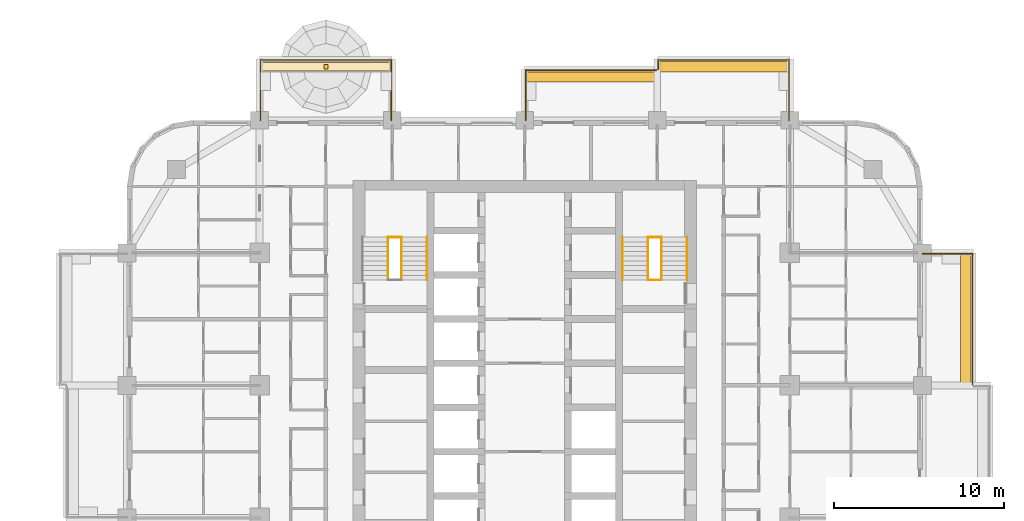
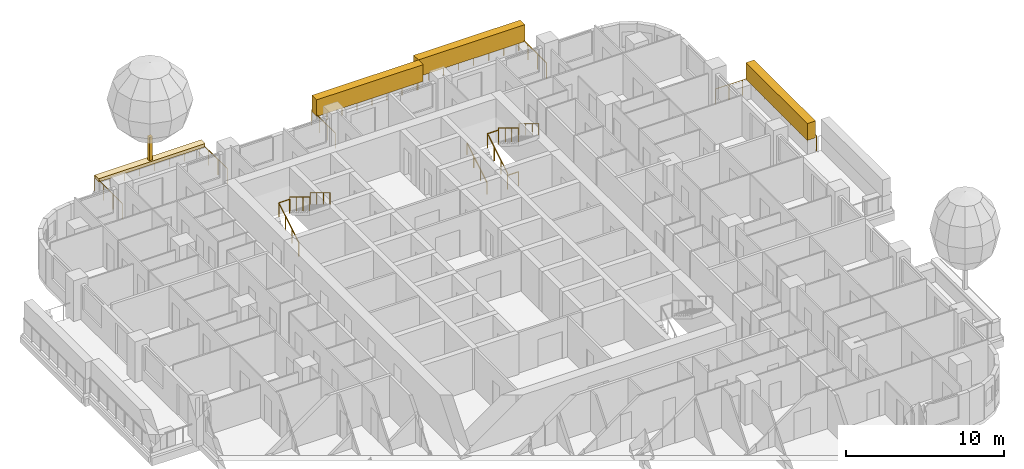
# One storey, part 18 of 19: 14 railings, 5 coverings, 2 elements without a shape of their own.
"""IFC4 building model written with IfcOpenShell, lengths in metres."""

from ifc_helpers import new_model, si_unit, direction, frame, origin, origin_2d, place, context, subcontext, project, spatial, rectangle, circle, extrude, material, layer, layer_set, type_object, element, aggregate, save


model = new_model("IFC4")

# Units and contexts
model_context = context("Model", 3, precision=1e-05, world=origin(), true_north=direction((0.0, 1.0)))
body_context = subcontext(model_context, "Body", "Model", "MODEL_VIEW")
ifc_project = project(units=[si_unit("LENGTHUNIT", "METRE"), si_unit("AREAUNIT", "SQUARE_METRE"), si_unit("VOLUMEUNIT", "CUBIC_METRE"), si_unit("PLANEANGLEUNIT", "RADIAN"), si_unit("MASSUNIT", "GRAM", prefix="KILO")], contexts=[model_context])

# Site, building, storey
site_placement = place(None, origin())
site = spatial("IfcSite", under=ifc_project, at=site_placement, CompositionType="ELEMENT")
building_placement = place(site_placement, origin())
building = spatial("IfcBuilding", under=site, at=building_placement, Name="Ludao Terraces", CompositionType="ELEMENT")
storey_placement = place(building_placement, frame((0.0, 0.0, 36.5)))
storey = spatial("IfcBuildingStorey", under=building, at=storey_placement, Name="L09", CompositionType="ELEMENT", Elevation=36.5)

# Railings
ifc_material_1 = material(Name="Stainless steel 304", Category="steel")
railing_type_1 = type_object("IfcRailingType", Name="ENV Balcony glass guard 1200", PredefinedType="GUARDRAIL", material=ifc_material_1)
railing_1_placement = place(storey_placement, frame((111.35009765625, 72.85009765625, 0.0)))
element("IfcRailing", 1, at=railing_1_placement, inside=storey, type_object=railing_type_1, Name="Balcony guard L09 E4", PredefinedType="GUARDRAIL", context=body_context, shape_type="SweptSolid", body=[
    extrude(circle(Radius=0.02392578125, at=origin_2d()), frame((0.0, 0.0, 1.17578125), z_axis=(0.0, 1.0, 0.0), x_axis=(-1.0, 0.0, 0.0)), (0.0, 0.0, 1.0), 7.699951171875),
    extrude(circle(Radius=0.02392578125, at=origin_2d()), frame((0.0, 7.699951171875, 1.17578125), z_axis=(-1.0, 0.0, 0.0), x_axis=(0.0, -1.0, 0.0)), (0.0, 0.0, 1.0), 2.9501953125),
    extrude(circle(Radius=0.02099609375, at=origin_2d()), origin(), (0.0, 0.0, 1.0), 1.15185546875),
    extrude(circle(Radius=0.02099609375, at=origin_2d()), frame((0.0, 1.10009765625, 0.0)), (0.0, 0.0, 1.0), 1.15185546875),
    extrude(circle(Radius=0.02099609375, at=origin_2d()), frame((0.0, 2.199951171875, 0.0)), (0.0, 0.0, 1.0), 1.15185546875),
    extrude(circle(Radius=0.02099609375, at=origin_2d()), frame((0.0, 3.300048828125, 0.0)), (0.0, 0.0, 1.0), 1.15185546875),
    extrude(circle(Radius=0.02099609375, at=origin_2d()), frame((0.0, 4.39990234375, 0.0)), (0.0, 0.0, 1.0), 1.15185546875),
    extrude(circle(Radius=0.02099609375, at=origin_2d()), frame((0.0, 5.5, 0.0)), (0.0, 0.0, 1.0), 1.15185546875),
    extrude(circle(Radius=0.02099609375, at=origin_2d()), frame((0.0, 6.599853515625, 0.0)), (0.0, 0.0, 1.0), 1.15185546875),
    extrude(circle(Radius=0.02099609375, at=origin_2d()), frame((0.0, 7.699951171875, 0.0)), (0.0, 0.0, 1.0), 1.15185546875),
    extrude(circle(Radius=0.02099609375, at=origin_2d()), frame((-0.9833984375, 7.699951171875, 0.0)), (0.0, 0.0, 1.0), 1.15185546875),
    extrude(circle(Radius=0.02099609375, at=origin_2d()), frame((-1.966796875, 7.699951171875, 0.0)), (0.0, 0.0, 1.0), 1.15185546875),
    extrude(circle(Radius=0.02099609375, at=origin_2d()), frame((-2.9501953125, 7.699951171875, 0.0)), (0.0, 0.0, 1.0), 1.15185546875),
])
railing_2_placement = place(storey_placement, frame((69.449951171875, 88.39990234375, 0.0)))
element("IfcRailing", 2, at=railing_2_placement, inside=storey, type_object=railing_type_1, Name="Balcony guard L09 N1", PredefinedType="GUARDRAIL", context=body_context, shape_type="SweptSolid", body=[
    extrude(circle(Radius=0.02392578125, at=origin_2d()), frame((0.0, 0.0, 1.17578125), z_axis=(0.0, 1.0, 0.0), x_axis=(-1.0, 0.0, 0.0)), (0.0, 0.0, 1.0), 3.550048828125),
    extrude(circle(Radius=0.02392578125, at=origin_2d()), frame((0.0, 3.550048828125, 1.17578125), z_axis=(1.0, 0.0, 0.0), x_axis=(0.0, 1.0, 0.0)), (0.0, 0.0, 1.0), 7.699951171875),
    extrude(circle(Radius=0.02392578125, at=origin_2d()), frame((7.699951171875, 3.550048828125, 1.17578125), z_axis=(0.0, -1.0, 0.0), x_axis=(1.0, 0.0, 0.0)), (0.0, 0.0, 1.0), 3.550048828125),
    extrude(circle(Radius=0.02099609375, at=origin_2d()), origin(), (0.0, 0.0, 1.0), 1.15185546875),
    extrude(circle(Radius=0.02099609375, at=origin_2d()), frame((0.0, 1.183349609375, 0.0)), (0.0, 0.0, 1.0), 1.15185546875),
    extrude(circle(Radius=0.02099609375, at=origin_2d()), frame((0.0, 2.36669921875, 0.0)), (0.0, 0.0, 1.0), 1.15185546875),
    extrude(circle(Radius=0.02099609375, at=origin_2d()), frame((0.0, 3.550048828125, 0.0)), (0.0, 0.0, 1.0), 1.15185546875),
    extrude(circle(Radius=0.02099609375, at=origin_2d()), frame((1.10009765625, 3.550048828125, 0.0)), (0.0, 0.0, 1.0), 1.15185546875),
    extrude(circle(Radius=0.02099609375, at=origin_2d()), frame((2.199951171875, 3.550048828125, 0.0)), (0.0, 0.0, 1.0), 1.15185546875),
    extrude(circle(Radius=0.02099609375, at=origin_2d()), frame((3.300048828125, 3.550048828125, 0.0)), (0.0, 0.0, 1.0), 1.15185546875),
    extrude(circle(Radius=0.02099609375, at=origin_2d()), frame((4.39990234375, 3.550048828125, 0.0)), (0.0, 0.0, 1.0), 1.15185546875),
    extrude(circle(Radius=0.02099609375, at=origin_2d()), frame((5.5, 3.550048828125, 0.0)), (0.0, 0.0, 1.0), 1.15185546875),
    extrude(circle(Radius=0.02099609375, at=origin_2d()), frame((6.599853515625, 3.550048828125, 0.0)), (0.0, 0.0, 1.0), 1.15185546875),
    extrude(circle(Radius=0.02099609375, at=origin_2d()), frame((7.699951171875, 3.550048828125, 0.0)), (0.0, 0.0, 1.0), 1.15185546875),
    extrude(circle(Radius=0.02099609375, at=origin_2d()), frame((7.699951171875, 2.36669921875, 0.0)), (0.0, 0.0, 1.0), 1.15185546875),
    extrude(circle(Radius=0.02099609375, at=origin_2d()), frame((7.699951171875, 1.183349609375, 0.0)), (0.0, 0.0, 1.0), 1.15185546875),
    extrude(circle(Radius=0.02099609375, at=origin_2d()), frame((7.699951171875, 0.0, 0.0)), (0.0, 0.0, 1.0), 1.15185546875),
])
railing_3_placement = place(storey_placement, frame((85.050048828125, 88.39990234375, 0.0)))
element("IfcRailing", 3, at=railing_3_placement, inside=storey, type_object=railing_type_1, Name="Balcony guard L09 N3", PredefinedType="GUARDRAIL", context=body_context, shape_type="SweptSolid", body=[
    extrude(circle(Radius=0.02392578125, at=origin_2d()), frame((0.0, 0.0, 1.17578125), z_axis=(0.0, 1.0, 0.0), x_axis=(-1.0, 0.0, 0.0)), (0.0, 0.0, 1.0), 2.9501953125),
    extrude(circle(Radius=0.02392578125, at=origin_2d()), frame((0.0, 2.9501953125, 1.17578125), z_axis=(1.0, 0.0, 0.0), x_axis=(0.0, 1.0, 0.0)), (0.0, 0.0, 1.0), 7.699951171875),
    extrude(circle(Radius=0.02099609375, at=origin_2d()), origin(), (0.0, 0.0, 1.0), 1.15185546875),
    extrude(circle(Radius=0.02099609375, at=origin_2d()), frame((0.0, 0.9833984375, 0.0)), (0.0, 0.0, 1.0), 1.15185546875),
    extrude(circle(Radius=0.02099609375, at=origin_2d()), frame((0.0, 1.966796875, 0.0)), (0.0, 0.0, 1.0), 1.15185546875),
    extrude(circle(Radius=0.02099609375, at=origin_2d()), frame((0.0, 2.9501953125, 0.0)), (0.0, 0.0, 1.0), 1.15185546875),
    extrude(circle(Radius=0.02099609375, at=origin_2d()), frame((1.10009765625, 2.9501953125, 0.0)), (0.0, 0.0, 1.0), 1.15185546875),
    extrude(circle(Radius=0.02099609375, at=origin_2d()), frame((2.199951171875, 2.9501953125, 0.0)), (0.0, 0.0, 1.0), 1.15185546875),
    extrude(circle(Radius=0.02099609375, at=origin_2d()), frame((3.300048828125, 2.9501953125, 0.0)), (0.0, 0.0, 1.0), 1.15185546875),
    extrude(circle(Radius=0.02099609375, at=origin_2d()), frame((4.39990234375, 2.9501953125, 0.0)), (0.0, 0.0, 1.0), 1.15185546875),
    extrude(circle(Radius=0.02099609375, at=origin_2d()), frame((5.5, 2.9501953125, 0.0)), (0.0, 0.0, 1.0), 1.15185546875),
    extrude(circle(Radius=0.02099609375, at=origin_2d()), frame((6.599853515625, 2.9501953125, 0.0)), (0.0, 0.0, 1.0), 1.15185546875),
    extrude(circle(Radius=0.02099609375, at=origin_2d()), frame((7.699951171875, 2.9501953125, 0.0)), (0.0, 0.0, 1.0), 1.15185546875),
])
railing_4_placement = place(storey_placement, frame((92.85009765625, 91.39990234375, 0.0)))
element("IfcRailing", 4, at=railing_4_placement, inside=storey, type_object=railing_type_1, Name="Balcony guard L09 N4", PredefinedType="GUARDRAIL", context=body_context, shape_type="SweptSolid", body=[
    extrude(circle(Radius=0.02392578125, at=origin_2d()), frame((0.0, 0.0, 1.17578125), z_axis=(0.0, 1.0, 0.0), x_axis=(-1.0, 0.0, 0.0)), (0.0, 0.0, 1.0), 0.550048828125),
    extrude(circle(Radius=0.02392578125, at=origin_2d()), frame((0.0, 0.550048828125, 1.17578125), z_axis=(1.0, 0.0, 0.0), x_axis=(0.0, 1.0, 0.0)), (0.0, 0.0, 1.0), 7.699951171875),
    extrude(circle(Radius=0.02392578125, at=origin_2d()), frame((7.699951171875, 0.550048828125, 1.17578125), z_axis=(0.0, -1.0, 0.0), x_axis=(1.0, 0.0, 0.0)), (0.0, 0.0, 1.0), 3.550048828125),
    extrude(circle(Radius=0.02099609375, at=origin_2d()), origin(), (0.0, 0.0, 1.0), 1.15185546875),
    extrude(circle(Radius=0.02099609375, at=origin_2d()), frame((0.0, 0.550048828125, 0.0)), (0.0, 0.0, 1.0), 1.15185546875),
    extrude(circle(Radius=0.02099609375, at=origin_2d()), frame((1.10009765625, 0.550048828125, 0.0)), (0.0, 0.0, 1.0), 1.15185546875),
    extrude(circle(Radius=0.02099609375, at=origin_2d()), frame((2.199951171875, 0.550048828125, 0.0)), (0.0, 0.0, 1.0), 1.15185546875),
    extrude(circle(Radius=0.02099609375, at=origin_2d()), frame((3.300048828125, 0.550048828125, 0.0)), (0.0, 0.0, 1.0), 1.15185546875),
    extrude(circle(Radius=0.02099609375, at=origin_2d()), frame((4.39990234375, 0.550048828125, 0.0)), (0.0, 0.0, 1.0), 1.15185546875),
    extrude(circle(Radius=0.02099609375, at=origin_2d()), frame((5.5, 0.550048828125, 0.0)), (0.0, 0.0, 1.0), 1.15185546875),
    extrude(circle(Radius=0.02099609375, at=origin_2d()), frame((6.599853515625, 0.550048828125, 0.0)), (0.0, 0.0, 1.0), 1.15185546875),
    extrude(circle(Radius=0.02099609375, at=origin_2d()), frame((7.699951171875, 0.550048828125, 0.0)), (0.0, 0.0, 1.0), 1.15185546875),
    extrude(circle(Radius=0.02099609375, at=origin_2d()), frame((7.699951171875, -0.63330078125, 0.0)), (0.0, 0.0, 1.0), 1.15185546875),
    extrude(circle(Radius=0.02099609375, at=origin_2d()), frame((7.699951171875, -1.816650390625, 0.0)), (0.0, 0.0, 1.0), 1.15185546875),
    extrude(circle(Radius=0.02099609375, at=origin_2d()), frame((7.699951171875, -3.0, 0.0)), (0.0, 0.0, 1.0), 1.15185546875),
])

# Coverings
ifc_material_2 = material(Name="Planting")
ifc_layer_1 = layer(ifc_material_2, 0.5)
ifc_layer_set_1 = layer_set([ifc_layer_1], Name="ENV Planting bed 250")
covering_type_1 = type_object("IfcCoveringType", Name="ENV Planting bed 250", PredefinedType="USERDEFINED", material=ifc_layer_set_1)
covering_1_placement = place(storey_placement, frame((73.300048828125, 91.550048828125, 1.10009765625), z_axis=(0.0, 0.0, 1.0), x_axis=(1.0, 0.0, 0.0)))
element("IfcCovering", 5, at=covering_1_placement, inside=storey, type_object=covering_type_1, Name="Planting bed L09-N1", ObjectType="PLANTING", PredefinedType="USERDEFINED", context=body_context, shape_type="SweptSolid", body=[
    extrude(rectangle(XDim=7.800048828125, YDim=0.5, at=origin_2d()), origin(), (0.0, 0.0, 1.0), 0.25),
])
ifc_layer_2 = layer(ifc_material_2, 0.60009765625)
ifc_layer_set_2 = layer_set([ifc_layer_2], Name="ENV Planting hedge 600x1300")
covering_type_2 = type_object("IfcCoveringType", Name="ENV Planting hedge 600x1300", PredefinedType="USERDEFINED", material=ifc_layer_set_2)
covering_2_placement = place(storey_placement, frame((110.949951171875, 76.699951171875, 1.10009765625), z_axis=(0.0, 0.0, 1.0), x_axis=(1.0, 0.0, 0.0)))
element("IfcCovering", 6, at=covering_2_placement, inside=storey, type_object=covering_type_2, Name="Planting hedge L09-E4", ObjectType="PLANTING", PredefinedType="USERDEFINED", context=body_context, shape_type="SweptSolid", body=[
    extrude(rectangle(XDim=0.60009765625, YDim=7.800048828125, at=origin_2d()), origin(), (0.0, 0.0, 1.0), 1.300048828125),
])
for number, where, z_axis, x_axis, name in (
    (7, (88.89990234375, 90.949951171875, 1.10009765625), (0.0, 0.0, 1.0), (1.0, 0.0, 0.0), "Planting hedge L09-N3"),
    (8, (96.699951171875, 91.550048828125, 1.10009765625), (0.0, 0.0, 1.0), (1.0, 0.0, 0.0), "Planting hedge L09-N4"),
):
    element("IfcCovering", number, at=place(storey_placement, frame(where, z_axis=z_axis, x_axis=x_axis)), inside=storey, type_object=covering_type_2, Name=name, ObjectType="PLANTING", PredefinedType="USERDEFINED", context=body_context, shape_type="SweptSolid", body=[
        extrude(rectangle(XDim=7.800048828125, YDim=0.60009765625, at=origin_2d()), origin(), (0.0, 0.0, 1.0), 1.300048828125),
    ])
ifc_material_3 = material(Name="Timber tree trunk", Category="wood")
ifc_layer_3 = layer(ifc_material_3, 0.25)
ifc_layer_set_3 = layer_set([ifc_layer_3], Name="ENV Tree trunk 250x1800")
covering_type_3 = type_object("IfcCoveringType", Name="ENV Tree trunk 250x1800", PredefinedType="USERDEFINED", material=ifc_layer_set_3)
covering_3_placement = place(storey_placement, frame((73.300048828125, 91.550048828125, 1.35009765625), z_axis=(0.0, 0.0, 1.0), x_axis=(1.0, 0.0, 0.0)))
element("IfcCovering", 9, at=covering_3_placement, inside=storey, type_object=covering_type_3, Name="Tree trunk L09 N1", ObjectType="PLANTING", PredefinedType="USERDEFINED", context=body_context, shape_type="SweptSolid", body=[
    extrude(rectangle(XDim=0.25, YDim=0.25, at=origin_2d()), origin(), (0.0, 0.0, 1.0), 1.800048828125),
])

# Stair, railings
ifc_material_4 = material(Name="Concrete C40", Category="concrete")
stair_type = type_object("IfcStairType", Name="INT Stair", PredefinedType="HALF_TURN_STAIR", material=ifc_material_4)
stair_1_placement = place(storey_placement, origin())
stair_1 = element("IfcStair", 10, at=stair_1_placement, inside=storey, type_object=stair_type, Name="EXIT STAIR 1", PredefinedType="HALF_TURN_STAIR")
railing_type_2 = type_object("IfcRailingType", Name="INT Stair guard 1100", PredefinedType="GUARDRAIL", material=ifc_material_1)
railing_5_placement = place(storey_placement, frame((76.949951171875, 79.0, 0.169921875)))
railing_5 = element("IfcRailing", 11, at=railing_5_placement, type_object=railing_type_2, Name="ST-L09-S1-R1G", PredefinedType="GUARDRAIL", context=body_context, shape_type="SweptSolid", body=[
    extrude(circle(Radius=0.02392578125, at=origin_2d()), frame((0.0, 0.0, 1.076171875), z_axis=(0.0, 0.85478489116, 0.518982456201), x_axis=(-1.0, 0.0, 0.0)), (0.0, 0.0, 1.0), 2.9482421875),
    extrude(circle(Radius=0.02099609375, at=origin_2d()), origin(), (0.0, 0.0, 1.0), 1.052001953125),
    extrude(circle(Radius=0.02099609375, at=origin_2d()), frame((0.0, 0.840087890625, 0.510009765625)), (0.0, 0.0, 1.0), 1.052001953125),
    extrude(circle(Radius=0.02099609375, at=origin_2d()), frame((0.0, 1.679931640625, 1.02001953125)), (0.0, 0.0, 1.0), 1.052001953125),
    extrude(circle(Radius=0.02099609375, at=origin_2d()), frame((0.0, 2.52001953125, 1.530029296875)), (0.0, 0.0, 1.0), 1.052001953125),
])
railing_6_placement = place(storey_placement, frame((77.75, 81.52001953125, 1.8701171875)))
railing_6 = element("IfcRailing", 12, at=railing_6_placement, type_object=railing_type_2, Name="ST-L09-S1-R2G", PredefinedType="GUARDRAIL", context=body_context, shape_type="SweptSolid", body=[
    extrude(circle(Radius=0.02392578125, at=origin_2d()), frame((0.0, 0.0, 1.076171875), z_axis=(0.0, -0.854821627497, 0.518921945155), x_axis=(1.0, 0.0, 0.0)), (0.0, 0.0, 1.0), 2.947998046875),
    extrude(circle(Radius=0.02099609375, at=origin_2d()), origin(), (0.0, 0.0, 1.0), 1.052001953125),
    extrude(circle(Radius=0.02099609375, at=origin_2d()), frame((0.0, -0.840087890625, 0.510009765625)), (0.0, 0.0, 1.0), 1.052001953125),
    extrude(circle(Radius=0.02099609375, at=origin_2d()), frame((0.0, -1.679931640625, 1.019775390625)), (0.0, 0.0, 1.0), 1.052001953125),
    extrude(circle(Radius=0.02099609375, at=origin_2d()), frame((0.0, -2.52001953125, 1.52978515625)), (0.0, 0.0, 1.0), 1.052001953125),
])
railing_7_placement = place(storey_placement, frame((76.949951171875, 81.52001953125, 1.699951171875)))
railing_7 = element("IfcRailing", 13, at=railing_7_placement, type_object=railing_type_2, Name="ST-L09-S1-E1G", PredefinedType="GUARDRAIL", context=body_context, shape_type="SweptSolid", body=[
    extrude(circle(Radius=0.02392578125, at=origin_2d()), frame((0.0, 0.0, 1.076171875), z_axis=(1.0, 0.0, 0.0), x_axis=(0.0, 1.0, 0.0)), (0.0, 0.0, 1.0), 0.800048828125),
    extrude(circle(Radius=0.02099609375, at=origin_2d()), origin(), (0.0, 0.0, 1.0), 1.052001953125),
    extrude(circle(Radius=0.02099609375, at=origin_2d()), frame((0.800048828125, 0.0, 0.0)), (0.0, 0.0, 1.0), 1.052001953125),
])

stair_2_placement = place(storey_placement, origin())
stair_2 = element("IfcStair", 14, at=stair_2_placement, inside=storey, type_object=stair_type, Name="EXIT STAIR 2", PredefinedType="HALF_TURN_STAIR")
railing_8_placement = place(storey_placement, frame((92.25, 79.0, 0.169921875)))
railing_8 = element("IfcRailing", 15, at=railing_8_placement, type_object=railing_type_2, Name="ST-L09-S2-R1G", PredefinedType="GUARDRAIL", context=body_context, shape_type="SweptSolid", body=[
    extrude(circle(Radius=0.02392578125, at=origin_2d()), frame((0.0, 0.0, 1.076171875), z_axis=(0.0, 0.85478489116, 0.518982456201), x_axis=(-1.0, 0.0, 0.0)), (0.0, 0.0, 1.0), 2.9482421875),
    extrude(circle(Radius=0.02099609375, at=origin_2d()), origin(), (0.0, 0.0, 1.0), 1.052001953125),
    extrude(circle(Radius=0.02099609375, at=origin_2d()), frame((0.0, 0.840087890625, 0.510009765625)), (0.0, 0.0, 1.0), 1.052001953125),
    extrude(circle(Radius=0.02099609375, at=origin_2d()), frame((0.0, 1.679931640625, 1.02001953125)), (0.0, 0.0, 1.0), 1.052001953125),
    extrude(circle(Radius=0.02099609375, at=origin_2d()), frame((0.0, 2.52001953125, 1.530029296875)), (0.0, 0.0, 1.0), 1.052001953125),
])
railing_9_placement = place(storey_placement, frame((93.050048828125, 81.52001953125, 1.8701171875)))
railing_9 = element("IfcRailing", 16, at=railing_9_placement, type_object=railing_type_2, Name="ST-L09-S2-R2G", PredefinedType="GUARDRAIL", context=body_context, shape_type="SweptSolid", body=[
    extrude(circle(Radius=0.02392578125, at=origin_2d()), frame((0.0, 0.0, 1.076171875), z_axis=(0.0, -0.854821627497, 0.518921945155), x_axis=(1.0, 0.0, 0.0)), (0.0, 0.0, 1.0), 2.947998046875),
    extrude(circle(Radius=0.02099609375, at=origin_2d()), origin(), (0.0, 0.0, 1.0), 1.052001953125),
    extrude(circle(Radius=0.02099609375, at=origin_2d()), frame((0.0, -0.840087890625, 0.510009765625)), (0.0, 0.0, 1.0), 1.052001953125),
    extrude(circle(Radius=0.02099609375, at=origin_2d()), frame((0.0, -1.679931640625, 1.019775390625)), (0.0, 0.0, 1.0), 1.052001953125),
    extrude(circle(Radius=0.02099609375, at=origin_2d()), frame((0.0, -2.52001953125, 1.52978515625)), (0.0, 0.0, 1.0), 1.052001953125),
])
railing_10_placement = place(storey_placement, frame((92.25, 81.52001953125, 1.699951171875)))
railing_10 = element("IfcRailing", 17, at=railing_10_placement, type_object=railing_type_2, Name="ST-L09-S2-E1G", PredefinedType="GUARDRAIL", context=body_context, shape_type="SweptSolid", body=[
    extrude(circle(Radius=0.02392578125, at=origin_2d()), frame((0.0, 0.0, 1.076171875), z_axis=(1.0, 0.0, 0.0), x_axis=(0.0, 1.0, 0.0)), (0.0, 0.0, 1.0), 0.800048828125),
    extrude(circle(Radius=0.02099609375, at=origin_2d()), origin(), (0.0, 0.0, 1.0), 1.052001953125),
    extrude(circle(Radius=0.02099609375, at=origin_2d()), frame((0.800048828125, 0.0, 0.0)), (0.0, 0.0, 1.0), 1.052001953125),
])
railing_11_placement = place(storey_placement, frame((92.25, 79.0, 0.0)))
railing_11 = element("IfcRailing", 18, at=railing_11_placement, type_object=railing_type_2, Name="ST-L09-S2-E2G", PredefinedType="GUARDRAIL", context=body_context, shape_type="SweptSolid", body=[
    extrude(circle(Radius=0.02392578125, at=origin_2d()), frame((0.0, 0.0, 1.076171875), z_axis=(1.0, 0.0, 0.0), x_axis=(0.0, 1.0, 0.0)), (0.0, 0.0, 1.0), 0.800048828125),
    extrude(circle(Radius=0.02099609375, at=origin_2d()), origin(), (0.0, 0.0, 1.0), 1.052001953125),
    extrude(circle(Radius=0.02099609375, at=origin_2d()), frame((0.800048828125, 0.0, 0.0)), (0.0, 0.0, 1.0), 1.052001953125),
])

# Railing
railing_type_3 = type_object("IfcRailingType", Name="INT Stair handrail 900", PredefinedType="HANDRAIL", material=ifc_material_1)
railing_12_placement = place(storey_placement, frame((79.25, 81.52001953125, 1.8701171875)))
railing_12 = element("IfcRailing", 19, at=railing_12_placement, type_object=railing_type_3, Name="ST-L09-S1-R2H", PredefinedType="HANDRAIL", context=body_context, shape_type="SweptSolid", body=[
    extrude(circle(Radius=0.02392578125, at=origin_2d()), frame((0.0, 0.0, 0.8759765625), z_axis=(0.0, -0.854821627497, 0.518921945155), x_axis=(1.0, 0.0, 0.0)), (0.0, 0.0, 1.0), 2.947998046875),
    extrude(circle(Radius=0.02099609375, at=origin_2d()), origin(), (0.0, 0.0, 1.0), 0.851806640625),
    extrude(circle(Radius=0.02099609375, at=origin_2d()), frame((0.0, -0.840087890625, 0.510009765625)), (0.0, 0.0, 1.0), 0.851806640625),
    extrude(circle(Radius=0.02099609375, at=origin_2d()), frame((0.0, -1.679931640625, 1.019775390625)), (0.0, 0.0, 1.0), 0.851806640625),
    extrude(circle(Radius=0.02099609375, at=origin_2d()), frame((0.0, -2.52001953125, 1.52978515625)), (0.0, 0.0, 1.0), 0.851806640625),
])

aggregate(stair_1, [railing_5, railing_6, railing_12, railing_7])

railing_13_placement = place(storey_placement, frame((90.75, 79.0, 0.169921875)))
railing_13 = element("IfcRailing", 20, at=railing_13_placement, type_object=railing_type_3, Name="ST-L09-S2-R1H", PredefinedType="HANDRAIL", context=body_context, shape_type="SweptSolid", body=[
    extrude(circle(Radius=0.02392578125, at=origin_2d()), frame((0.0, 0.0, 0.8759765625), z_axis=(0.0, 0.85478489116, 0.518982456201), x_axis=(-1.0, 0.0, 0.0)), (0.0, 0.0, 1.0), 2.9482421875),
    extrude(circle(Radius=0.02099609375, at=origin_2d()), origin(), (0.0, 0.0, 1.0), 0.851806640625),
    extrude(circle(Radius=0.02099609375, at=origin_2d()), frame((0.0, 0.840087890625, 0.510009765625)), (0.0, 0.0, 1.0), 0.851806640625),
    extrude(circle(Radius=0.02099609375, at=origin_2d()), frame((0.0, 1.679931640625, 1.02001953125)), (0.0, 0.0, 1.0), 0.851806640625),
    extrude(circle(Radius=0.02099609375, at=origin_2d()), frame((0.0, 2.52001953125, 1.530029296875)), (0.0, 0.0, 1.0), 0.851806640625),
])

railing_14_placement = place(storey_placement, frame((94.550048828125, 81.52001953125, 1.8701171875)))
railing_14 = element("IfcRailing", 21, at=railing_14_placement, type_object=railing_type_3, Name="ST-L09-S2-R2H", PredefinedType="HANDRAIL", context=body_context, shape_type="SweptSolid", body=[
    extrude(circle(Radius=0.02392578125, at=origin_2d()), frame((0.0, 0.0, 0.8759765625), z_axis=(0.0, -0.854821627497, 0.518921945155), x_axis=(1.0, 0.0, 0.0)), (0.0, 0.0, 1.0), 2.947998046875),
    extrude(circle(Radius=0.02099609375, at=origin_2d()), origin(), (0.0, 0.0, 1.0), 0.851806640625),
    extrude(circle(Radius=0.02099609375, at=origin_2d()), frame((0.0, -0.840087890625, 0.510009765625)), (0.0, 0.0, 1.0), 0.851806640625),
    extrude(circle(Radius=0.02099609375, at=origin_2d()), frame((0.0, -1.679931640625, 1.019775390625)), (0.0, 0.0, 1.0), 0.851806640625),
    extrude(circle(Radius=0.02099609375, at=origin_2d()), frame((0.0, -2.52001953125, 1.52978515625)), (0.0, 0.0, 1.0), 0.851806640625),
])

aggregate(stair_2, [railing_8, railing_13, railing_9, railing_14, railing_10, railing_11])

save(model, "model.ifc")
